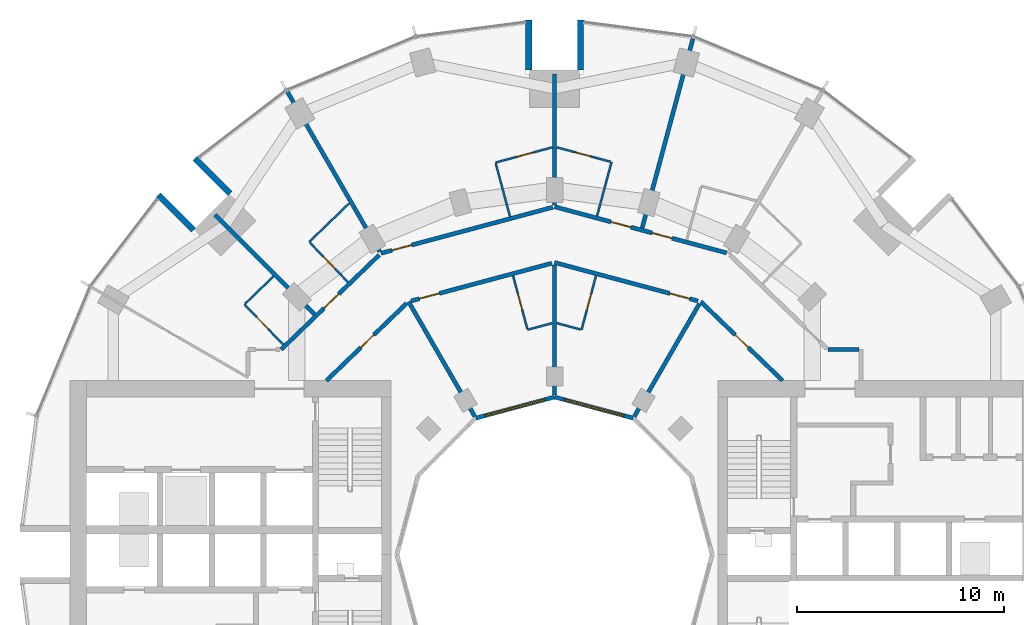
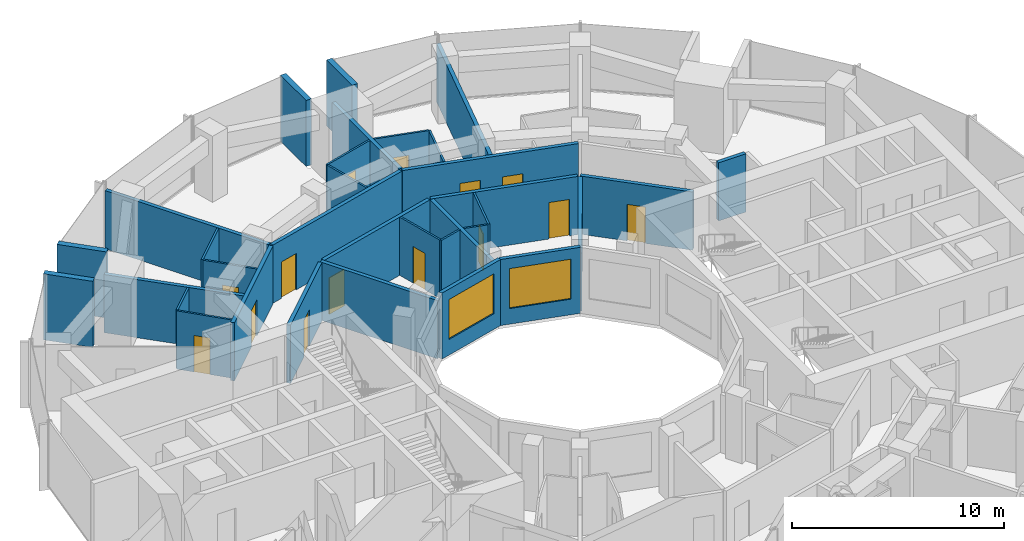
# One storey, part 12 of 15: 33 walls, 14 doors, 2 windows, 16 openings.
"""IFC4 building model written with IfcOpenShell, lengths in metres."""

from ifc_helpers import new_model, si_unit, direction, frame, frame_2d, origin, place, context, subcontext, project, spatial, rectangle, extrude, material, layer, layer_set, type_object, element, fill, save


model = new_model("IFC4")

# Units and contexts
model_context = context("Model", 3, precision=1e-05, world=origin(), true_north=direction((0.0, 1.0)))
body_context = subcontext(model_context, "Body", "Model", "MODEL_VIEW")
ifc_project = project(units=[si_unit("LENGTHUNIT", "METRE"), si_unit("AREAUNIT", "SQUARE_METRE"), si_unit("VOLUMEUNIT", "CUBIC_METRE"), si_unit("PLANEANGLEUNIT", "RADIAN"), si_unit("MASSUNIT", "GRAM", prefix="KILO")], contexts=[model_context])

# Site, building, storey
site_placement = place(None, origin())
site = spatial("IfcSite", under=ifc_project, at=site_placement, CompositionType="ELEMENT")
building_placement = place(site_placement, origin())
building = spatial("IfcBuilding", under=site, at=building_placement, Name="Torre Brocal", CompositionType="ELEMENT")
storey_placement = place(building_placement, frame((0.0, 0.0, 51.60009765625)))
storey = spatial("IfcBuildingStorey", under=building, at=storey_placement, Name="L11", CompositionType="ELEMENT", Elevation=51.60009765625)

# Walls
ifc_material_1 = material(Name="Concrete C80", Category="concrete")
ifc_layer_1 = layer(ifc_material_1, 0.300048828125)
ifc_layer_set_1 = layer_set([ifc_layer_1], Name="Concrete C80")
wall_type_1 = type_object("IfcWallType", Name="NOTCH RETURN WALL 300 C80", PredefinedType="NOTDEFINED", material=ifc_layer_set_1)
for number, where, z_axis, x_axis, name in (
    (1, (81.25, 98.39990234375, 0.0), (0.0, 0.0, 1.0), (0.0, 1.0, 0.0), "NOTCH RETURN WALL"),
    (2, (78.75, 98.39990234375, 0.0), (0.0, 0.0, 1.0), (0.0, 1.0, 0.0), "NOTCH RETURN WALL"),
    (3, (64.337646484375, 92.43017578125, 0.0), (0.0, 0.0, 1.0), (-0.707106781187, 0.707106781187, 0.0), "NOTCH RETURN WALL"),
    (4, (62.56982421875, 90.662353515625, 0.0), (0.0, 0.0, 1.0), (-0.707106781187, 0.707106781187, 0.0), "NOTCH RETURN WALL"),
):
    element("IfcWall", number, at=place(storey_placement, frame(where, z_axis=z_axis, x_axis=x_axis)), inside=storey, type_object=wall_type_1, Name=name, PredefinedType="NOTDEFINED", context=body_context, shape_type="SweptSolid", body=[
        extrude(rectangle(XDim=2.415771484375, YDim=0.300048828125, at=frame_2d((1.2080078125, 0.0))), origin(), (0.0, 0.0, 1.0), 3.7998046875),
    ])
ifc_material_2 = material(Name="Gypsum board", Category="Gypsum")
ifc_layer_2 = layer(ifc_material_2, 0.10009765625)
ifc_layer_set_2 = layer_set([ifc_layer_2], Name="Gypsum board")
wall_type_2 = type_object("IfcWallType", Name="PARTITION 100", PredefinedType="PARTITIONING", material=ifc_layer_set_2)
wall_1_placement = place(storey_placement, frame((65.058837890625, 87.11376953125, 0.0), z_axis=(0.0, 0.0, 1.0), x_axis=(0.719715847356, 0.694268751324, 0.0)))
element("IfcWall", 5, at=wall_1_placement, inside=storey, type_object=wall_type_2, Name="BATHROOM WALL", PredefinedType="PARTITIONING", context=body_context, shape_type="SweptSolid", body=[
    extrude(rectangle(XDim=1.899658203125, YDim=0.10009765625, at=frame_2d((0.94970703125, 0.0))), origin(), (0.0, 0.0, 1.0), 3.349853515625),
])

# Wall, opening, door
wall_2_placement = place(storey_placement, frame((65.02294921875, 87.0791015625, 0.0), z_axis=(0.0, 0.0, 1.0), x_axis=(0.694287838235, -0.719697434815, 0.0)))
wall_2 = element("IfcWall", 6, at=wall_2_placement, inside=storey, type_object=wall_type_2, Name="BATHROOM WALL", PredefinedType="PARTITIONING", context=body_context, shape_type="SweptSolid", body=[
    extrude(rectangle(XDim=2.699951171875, YDim=0.10009765625, at=frame_2d((1.35009765625, 0.0))), origin(), (0.0, 0.0, 1.0), 3.349853515625),
])
opening_1_placement = place(wall_2_placement, frame((0.849853515625, 0.0, 0.0)))
opening_1 = element("IfcOpeningElement", 7, at=opening_1_placement, cuts=wall_2, Name="Opening H03-D12", PredefinedType="OPENING", context=body_context, shape_type="SweptSolid", body=[
    extrude(rectangle(XDim=0.800048828125, YDim=2.10009765625, at=frame_2d((0.39990234375, 1.050048828125))), frame((0.0, 0.06005859375, 0.0), z_axis=(0.0, -1.0, 0.0), x_axis=(1.0, 0.0, 0.0)), (0.0, 0.0, 1.0), 0.1201171875),
])
ifc_material_3 = material(Name="Timber", Category="wood")
door_type_1 = type_object("IfcDoorType", Name="BATHROOM DOOR 800X2100", OperationType="SINGLE_SWING_LEFT", PredefinedType="DOOR", material=ifc_material_3)
door_1_placement = place(opening_1_placement, origin())
door_1 = element("IfcDoor", 8, at=door_1_placement, inside=storey, type_object=door_type_1, Name="H03-D12", OperationType="SINGLE_SWING_LEFT", OverallHeight=2.10009765625, OverallWidth=0.800048828125, PredefinedType="DOOR", context=body_context, shape_type="SweptSolid", body=[
    extrude(rectangle(XDim=0.800048828125, YDim=2.10009765625, at=frame_2d((0.39990234375, 1.050048828125))), frame((0.0, 0.02490234375, 0.0), z_axis=(0.0, -1.0, 0.0), x_axis=(1.0, 0.0, 0.0)), (0.0, 0.0, 1.0), 0.050048828125),
])
fill(opening_1, door_1)

wall_3_placement = place(storey_placement, frame((68.184814453125, 90.06005859375, 0.0), z_axis=(0.0, 0.0, 1.0), x_axis=(0.69446127412, -0.719530081892, 0.0)))
wall_3 = element("IfcWall", 9, at=wall_3_placement, inside=storey, type_object=wall_type_2, Name="BATHROOM WALL", PredefinedType="PARTITIONING", context=body_context, shape_type="SweptSolid", body=[
    extrude(rectangle(XDim=2.64892578125, YDim=0.10009765625, at=frame_2d((1.324462890625, 0.0))), origin(), (0.0, 0.0, 1.0), 3.349853515625),
])
opening_2_placement = place(wall_3_placement, frame((0.94970703125, 0.0, 0.0)))
opening_2 = element("IfcOpeningElement", 10, at=opening_2_placement, cuts=wall_3, Name="Opening H03-D10", PredefinedType="OPENING", context=body_context, shape_type="SweptSolid", body=[
    extrude(rectangle(XDim=0.800048828125, YDim=2.10009765625, at=frame_2d((0.39990234375, 1.050048828125))), frame((0.0, 0.06005859375, 0.0), z_axis=(0.0, -1.0, 0.0), x_axis=(1.0, 0.0, 0.0)), (0.0, 0.0, 1.0), 0.1201171875),
])
door_2_placement = place(opening_2_placement, origin())
door_2 = element("IfcDoor", 11, at=door_2_placement, inside=storey, type_object=door_type_1, Name="H03-D10", OperationType="SINGLE_SWING_RIGHT", OverallHeight=2.10009765625, OverallWidth=0.800048828125, PredefinedType="DOOR", context=body_context, shape_type="SweptSolid", body=[
    extrude(rectangle(XDim=0.800048828125, YDim=2.10009765625, at=frame_2d((0.39990234375, 1.050048828125))), frame((0.0, 0.02490234375, 0.0), z_axis=(0.0, -1.0, 0.0), x_axis=(1.0, 0.0, 0.0)), (0.0, 0.0, 1.0), 0.050048828125),
])
fill(opening_2, door_2)

# Walls
wall_4_placement = place(storey_placement, frame((68.150146484375, 90.095947265625, 0.0), z_axis=(0.0, 0.0, 1.0), x_axis=(0.719667544954, 0.694318820672, 0.0)))
element("IfcWall", 12, at=wall_4_placement, inside=storey, type_object=wall_type_2, Name="BATHROOM WALL", PredefinedType="PARTITIONING", context=body_context, shape_type="SweptSolid", body=[
    extrude(rectangle(XDim=2.68701171875, YDim=0.10009765625, at=frame_2d((1.343505859375, 0.0))), origin(), (0.0, 0.0, 1.0), 3.349853515625),
])
wall_5_placement = place(storey_placement, frame((77.161865234375, 93.8828125, 0.0), z_axis=(0.0, 0.0, 1.0), x_axis=(0.258998589493, -0.965877699629, 0.0)))
element("IfcWall", 13, at=wall_5_placement, inside=storey, type_object=wall_type_2, Name="BATHROOM WALL", PredefinedType="PARTITIONING", context=body_context, shape_type="SweptSolid", body=[
    extrude(rectangle(XDim=2.649658203125, YDim=0.10009765625, at=frame_2d((1.32470703125, 0.0))), origin(), (0.0, 0.0, 1.0), 3.349853515625),
])

# Wall, opening, door
wall_6_placement = place(storey_placement, frame((77.14892578125, 93.930908203125, 0.0), z_axis=(0.0, 0.0, 1.0), x_axis=(0.965916219953, 0.258854893776, 0.0)))
wall_6 = element("IfcWall", 14, at=wall_6_placement, inside=storey, type_object=wall_type_2, Name="BATHROOM WALL", PredefinedType="PARTITIONING", context=body_context, shape_type="SweptSolid", body=[
    extrude(rectangle(XDim=2.841796875, YDim=0.10009765625, at=frame_2d((1.4208984375, 0.0))), origin(), (0.0, 0.0, 1.0), 3.349853515625),
])
opening_3_placement = place(wall_6_placement, frame((1.07568359375, 0.0, 0.0)))
opening_3 = element("IfcOpeningElement", 15, at=opening_3_placement, cuts=wall_6, Name="Opening H03-D08", PredefinedType="OPENING", context=body_context, shape_type="SweptSolid", body=[
    extrude(rectangle(XDim=0.800048828125, YDim=2.10009765625, at=frame_2d((0.39990234375, 1.050048828125))), frame((0.0, 0.06005859375, 0.0), z_axis=(0.0, -1.0, 0.0), x_axis=(1.0, 0.0, 0.0)), (0.0, 0.0, 1.0), 0.1201171875),
])
door_3_placement = place(opening_3_placement, frame((0.800048828125, 0.0, 0.0), z_axis=(0.0, 0.0, 1.0), x_axis=(-1.0, 0.0, 0.0)))
door_3 = element("IfcDoor", 16, at=door_3_placement, inside=storey, type_object=door_type_1, Name="H03-D08", OperationType="SINGLE_SWING_LEFT", OverallHeight=2.10009765625, OverallWidth=0.800048828125, PredefinedType="DOOR", context=body_context, shape_type="SweptSolid", body=[
    extrude(rectangle(XDim=0.800048828125, YDim=2.10009765625, at=frame_2d((0.39990234375, 1.050048828125))), frame((0.0, 0.02490234375, 0.0), z_axis=(0.0, -1.0, 0.0), x_axis=(1.0, 0.0, 0.0)), (0.0, 0.0, 1.0), 0.050048828125),
])
fill(opening_3, door_3)

wall_7_placement = place(storey_placement, frame((77.997802734375, 88.46337890625, 0.0), z_axis=(0.0, 0.0, 1.0), x_axis=(0.258677737588, -0.965963678446, 0.0)))
wall_7 = element("IfcWall", 17, at=wall_7_placement, inside=storey, type_object=wall_type_2, Name="BATHROOM WALL", PredefinedType="PARTITIONING", context=body_context, shape_type="SweptSolid", body=[
    extrude(rectangle(XDim=2.649169921875, YDim=0.10009765625, at=frame_2d((1.32470703125, 0.0))), origin(), (0.0, 0.0, 1.0), 3.349853515625),
])
opening_4_placement = place(wall_7_placement, frame((0.899658203125, 0.0, 0.0)))
opening_4 = element("IfcOpeningElement", 18, at=opening_4_placement, cuts=wall_7, Name="Opening H03-D18", PredefinedType="OPENING", context=body_context, shape_type="SweptSolid", body=[
    extrude(rectangle(XDim=0.800048828125, YDim=2.10009765625, at=frame_2d((0.39990234375, 1.050048828125))), frame((0.0, 0.06005859375, 0.0), z_axis=(0.0, -1.0, 0.0), x_axis=(1.0, 0.0, 0.0)), (0.0, 0.0, 1.0), 0.1201171875),
])
door_4_placement = place(opening_4_placement, origin())
door_4 = element("IfcDoor", 19, at=door_4_placement, inside=storey, type_object=door_type_1, Name="H03-D18", OperationType="SINGLE_SWING_LEFT", OverallHeight=2.10009765625, OverallWidth=0.800048828125, PredefinedType="DOOR", context=body_context, shape_type="SweptSolid", body=[
    extrude(rectangle(XDim=0.800048828125, YDim=2.10009765625, at=frame_2d((0.39990234375, 1.050048828125))), frame((0.0, 0.02490234375, 0.0), z_axis=(0.0, -1.0, 0.0), x_axis=(1.0, 0.0, 0.0)), (0.0, 0.0, 1.0), 0.050048828125),
])
fill(opening_4, door_4)

# Walls
wall_8_placement = place(storey_placement, frame((78.696044921875, 85.85595703125, 0.0), z_axis=(0.0, 0.0, 1.0), x_axis=(0.966002513606, 0.258532674351, 0.0)))
element("IfcWall", 20, at=wall_8_placement, inside=storey, type_object=wall_type_2, Name="BATHROOM WALL", PredefinedType="PARTITIONING", context=body_context, shape_type="SweptSolid", body=[
    extrude(rectangle(XDim=1.239990234375, YDim=0.10009765625, at=frame_2d((0.6201171875, 0.0))), origin(), (0.0, 0.0, 1.0), 3.349853515625),
])
wall_9_placement = place(storey_placement, frame((80.106201171875, 86.176513671875, 0.0), z_axis=(0.0, 0.0, 1.0), x_axis=(0.966002973184, -0.258530957139, 0.0)))
element("IfcWall", 21, at=wall_9_placement, inside=storey, type_object=wall_type_2, Name="BATHROOM WALL", PredefinedType="PARTITIONING", context=body_context, shape_type="SweptSolid", body=[
    extrude(rectangle(XDim=1.18994140625, YDim=0.10009765625, at=frame_2d((0.594970703125, 0.0))), origin(), (0.0, 0.0, 1.0), 3.349853515625),
])

# Wall, opening, door
wall_10_placement = place(storey_placement, frame((80.106201171875, 94.666748046875, 0.0), z_axis=(0.0, 0.0, 1.0), x_axis=(0.965904298007, -0.258899376382, 0.0)))
wall_10 = element("IfcWall", 22, at=wall_10_placement, inside=storey, type_object=wall_type_2, Name="BATHROOM WALL", PredefinedType="PARTITIONING", context=body_context, shape_type="SweptSolid", body=[
    extrude(rectangle(XDim=2.6904296875, YDim=0.10009765625, at=frame_2d((1.34521484375, 0.0))), origin(), (0.0, 0.0, 1.0), 3.349853515625),
])
opening_5_placement = place(wall_10_placement, frame((0.9150390625, 0.0, 0.0)))
opening_5 = element("IfcOpeningElement", 23, at=opening_5_placement, cuts=wall_10, Name="Opening H03-D06", PredefinedType="OPENING", context=body_context, shape_type="SweptSolid", body=[
    extrude(rectangle(XDim=0.800048828125, YDim=2.10009765625, at=frame_2d((0.39990234375, 1.050048828125))), frame((0.0, 0.06005859375, 0.0), z_axis=(0.0, -1.0, 0.0), x_axis=(1.0, 0.0, 0.0)), (0.0, 0.0, 1.0), 0.1201171875),
])
door_5_placement = place(opening_5_placement, frame((0.800048828125, 0.0, 0.0), z_axis=(0.0, 0.0, 1.0), x_axis=(-1.0, 0.0, 0.0)))
door_5 = element("IfcDoor", 24, at=door_5_placement, inside=storey, type_object=door_type_1, Name="H03-D06", OperationType="SINGLE_SWING_RIGHT", OverallHeight=2.10009765625, OverallWidth=0.800048828125, PredefinedType="DOOR", context=body_context, shape_type="SweptSolid", body=[
    extrude(rectangle(XDim=0.800048828125, YDim=2.10009765625, at=frame_2d((0.39990234375, 1.050048828125))), frame((0.0, 0.02490234375, 0.0), z_axis=(0.0, -1.0, 0.0), x_axis=(1.0, 0.0, 0.0)), (0.0, 0.0, 1.0), 0.050048828125),
])
fill(opening_5, door_5)

wall_11_placement = place(storey_placement, frame((81.303955078125, 85.85595703125, 0.0), z_axis=(0.0, 0.0, 1.0), x_axis=(0.25867580527, 0.965964195904, 0.0)))
wall_11 = element("IfcWall", 25, at=wall_11_placement, inside=storey, type_object=wall_type_2, Name="BATHROOM WALL", PredefinedType="PARTITIONING", context=body_context, shape_type="SweptSolid", body=[
    extrude(rectangle(XDim=2.69921875, YDim=0.10009765625, at=frame_2d((1.349609375, 0.0))), origin(), (0.0, 0.0, 1.0), 3.349853515625),
])
opening_6_placement = place(wall_11_placement, frame((0.99951171875, 0.0, 0.0)))
opening_6 = element("IfcOpeningElement", 26, at=opening_6_placement, cuts=wall_11, Name="Opening H03-D16", PredefinedType="OPENING", context=body_context, shape_type="SweptSolid", body=[
    extrude(rectangle(XDim=0.800048828125, YDim=2.10009765625, at=frame_2d((0.39990234375, 1.050048828125))), frame((0.0, 0.06005859375, 0.0), z_axis=(0.0, -1.0, 0.0), x_axis=(1.0, 0.0, 0.0)), (0.0, 0.0, 1.0), 0.1201171875),
])
door_6_placement = place(opening_6_placement, origin())
door_6 = element("IfcDoor", 27, at=door_6_placement, inside=storey, type_object=door_type_1, Name="H03-D16", OperationType="SINGLE_SWING_RIGHT", OverallHeight=2.10009765625, OverallWidth=0.800048828125, PredefinedType="DOOR", context=body_context, shape_type="SweptSolid", body=[
    extrude(rectangle(XDim=0.800048828125, YDim=2.10009765625, at=frame_2d((0.39990234375, 1.050048828125))), frame((0.0, 0.02490234375, 0.0), z_axis=(0.0, -1.0, 0.0), x_axis=(1.0, 0.0, 0.0)), (0.0, 0.0, 1.0), 0.050048828125),
])
fill(opening_6, door_6)

# Walls
wall_12_placement = place(storey_placement, frame((82.053955078125, 91.349609375, 0.0), z_axis=(0.0, 0.0, 1.0), x_axis=(0.258928960762, 0.965896367774, 0.0)))
element("IfcWall", 28, at=wall_12_placement, inside=storey, type_object=wall_type_2, Name="BATHROOM WALL", PredefinedType="PARTITIONING", context=body_context, shape_type="SweptSolid", body=[
    extrude(rectangle(XDim=2.699462890625, YDim=0.10009765625, at=frame_2d((1.349609375, 0.0))), origin(), (0.0, 0.0, 1.0), 3.349853515625),
])
ifc_material_4 = material(Name="Gypsum board", Category="Gypsum")
ifc_layer_3 = layer(ifc_material_4, 0.199951171875)
ifc_layer_set_3 = layer_set([ifc_layer_3], Name="Gypsum board")
wall_type_3 = type_object("IfcWallType", Name="PARTITION 200 EI60", PredefinedType="PARTITIONING", material=ifc_layer_set_3)
wall_13_placement = place(storey_placement, frame((63.598388671875, 91.408203125, 0.0), z_axis=(0.0, 0.0, 1.0), x_axis=(0.706999146394, -0.707214399597, 0.0)))
element("IfcWall", 29, at=wall_13_placement, inside=storey, type_object=wall_type_3, Name="BATHROOM WALL", PredefinedType="PARTITIONING", context=body_context, shape_type="SweptSolid", body=[
    extrude(rectangle(XDim=6.80517578125, YDim=0.199951171875, at=frame_2d((3.402587890625, 0.0))), origin(), (0.0, 0.0, 1.0), 3.349853515625),
])

# Wall, opening, door
wall_14_placement = place(storey_placement, frame((66.796630859375, 84.900390625, 0.0), z_axis=(0.0, 0.0, 1.0), x_axis=(0.719692092412, 0.694293376116, 0.0)))
wall_14 = element("IfcWall", 30, at=wall_14_placement, inside=storey, type_object=wall_type_3, Name="GUESTROOM CORRIDOR WALL", PredefinedType="PARTITIONING", context=body_context, shape_type="SweptSolid", body=[
    extrude(rectangle(XDim=6.58447265625, YDim=0.199951171875, at=frame_2d((3.292236328125, 0.0))), origin(), (0.0, 0.0, 1.0), 3.349853515625),
])
opening_7_placement = place(wall_14_placement, frame((2.8662109375, 0.0, 0.0)))
opening_7 = element("IfcOpeningElement", 31, at=opening_7_placement, cuts=wall_14, Name="Opening H03-D09", PredefinedType="OPENING", context=body_context, shape_type="SweptSolid", body=[
    extrude(rectangle(XDim=1.0, YDim=2.10009765625, at=frame_2d((0.5, 1.050048828125))), frame((0.0, 0.10986328125, 0.0), z_axis=(0.0, -1.0, 0.0), x_axis=(1.0, 0.0, 0.0)), (0.0, 0.0, 1.0), 0.219970703125),
])
ifc_material_5 = material(Name="Timber", Category="wood")
door_type_2 = type_object("IfcDoorType", Name="FLAT ENTRY DOOR FD30S 1000X2100", OperationType="SINGLE_SWING_RIGHT", PredefinedType="DOOR", material=ifc_material_5)
door_7_placement = place(opening_7_placement, origin())
door_7 = element("IfcDoor", 32, at=door_7_placement, inside=storey, type_object=door_type_2, Name="H03-D09", OperationType="SINGLE_SWING_LEFT", OverallHeight=2.10009765625, OverallWidth=1.0, PredefinedType="DOOR", context=body_context, shape_type="SweptSolid", body=[
    extrude(rectangle(XDim=1.0, YDim=2.10009765625, at=frame_2d((0.5, 1.050048828125))), frame((0.0, 0.02490234375, 0.0), z_axis=(0.0, -1.0, 0.0), x_axis=(1.0, 0.0, 0.0)), (0.0, 0.0, 1.0), 0.050048828125),
])
fill(opening_7, door_7)

# Wall
wall_15_placement = place(storey_placement, frame((67.102783203125, 97.34228515625, 0.0), z_axis=(0.0, 0.0, 1.0), x_axis=(0.499906738326, -0.866079241742, 0.0)))
element("IfcWall", 33, at=wall_15_placement, inside=storey, type_object=wall_type_3, Name="BATHROOM WALL", PredefinedType="PARTITIONING", context=body_context, shape_type="SweptSolid", body=[
    extrude(rectangle(XDim=8.906982421875, YDim=0.199951171875, at=frame_2d((4.45361328125, 0.0))), origin(), (0.0, 0.0, 1.0), 3.349853515625),
])

# Wall, opening, door
wall_16_placement = place(storey_placement, frame((68.987060546875, 83.39990234375, 0.0), z_axis=(0.0, 0.0, 1.0), x_axis=(0.719547721855, 0.694442996922, 0.0)))
wall_16 = element("IfcWall", 34, at=wall_16_placement, inside=storey, type_object=wall_type_3, Name="CORRIDOR WALL", PredefinedType="PARTITIONING", context=body_context, shape_type="SweptSolid", body=[
    extrude(rectangle(XDim=5.3779296875, YDim=0.199951171875, at=frame_2d((2.68896484375, 0.0))), origin(), (0.0, 0.0, 1.0), 3.349853515625),
])
opening_8_placement = place(wall_16_placement, frame((2.2939453125, 0.0, 0.0)))
opening_8 = element("IfcOpeningElement", 35, at=opening_8_placement, cuts=wall_16, Name="Opening H03-D19", PredefinedType="OPENING", context=body_context, shape_type="SweptSolid", body=[
    extrude(rectangle(XDim=0.89990234375, YDim=2.10009765625, at=frame_2d((0.449951171875, 1.050048828125))), frame((0.0, 0.10986328125, 0.0), z_axis=(0.0, -1.0, 0.0), x_axis=(1.0, 0.0, 0.0)), (0.0, 0.0, 1.0), 0.219970703125),
])
ifc_material_6 = material(Name="Timber", Category="wood")
door_type_3 = type_object("IfcDoorType", Name="ROOM DOOR 900X2100", OperationType="SINGLE_SWING_LEFT", PredefinedType="DOOR", material=ifc_material_6)
door_8_placement = place(opening_8_placement, frame((0.89990234375, 0.0, 0.0), z_axis=(0.0, 0.0, 1.0), x_axis=(-1.0, 0.0, 0.0)))
door_8 = element("IfcDoor", 36, at=door_8_placement, inside=storey, type_object=door_type_3, Name="H03-D19", OperationType="SINGLE_SWING_RIGHT", OverallHeight=2.10009765625, OverallWidth=0.89990234375, PredefinedType="DOOR", context=body_context, shape_type="SweptSolid", body=[
    extrude(rectangle(XDim=0.89990234375, YDim=2.10009765625, at=frame_2d((0.449951171875, 1.050048828125))), frame((0.0, 0.02490234375, 0.0), z_axis=(0.0, -1.0, 0.0), x_axis=(1.0, 0.0, 0.0)), (0.0, 0.0, 1.0), 0.050048828125),
])
fill(opening_8, door_8)

wall_17_placement = place(storey_placement, frame((71.61376953125, 89.549560546875, 0.0), z_axis=(0.0, 0.0, 1.0), x_axis=(0.965967958589, 0.258661753994, 0.0)))
wall_17 = element("IfcWall", 37, at=wall_17_placement, inside=storey, type_object=wall_type_3, Name="GUESTROOM CORRIDOR WALL", PredefinedType="PARTITIONING", context=body_context, shape_type="SweptSolid", body=[
    extrude(rectangle(XDim=8.592041015625, YDim=0.199951171875, at=frame_2d((4.2958984375, 0.0))), origin(), (0.0, 0.0, 1.0), 3.349853515625),
])
opening_9_placement = place(wall_17_placement, frame((0.550048828125, 0.0, 0.0)))
opening_9 = element("IfcOpeningElement", 38, at=opening_9_placement, cuts=wall_17, Name="Opening H03-D07", PredefinedType="OPENING", context=body_context, shape_type="SweptSolid", body=[
    extrude(rectangle(XDim=1.0, YDim=2.10009765625, at=frame_2d((0.5, 1.050048828125))), frame((0.0, 0.10986328125, 0.0), z_axis=(0.0, -1.0, 0.0), x_axis=(1.0, 0.0, 0.0)), (0.0, 0.0, 1.0), 0.219970703125),
])
door_9_placement = place(opening_9_placement, origin())
door_9 = element("IfcDoor", 39, at=door_9_placement, inside=storey, type_object=door_type_2, Name="H03-D07", OperationType="SINGLE_SWING_LEFT", OverallHeight=2.10009765625, OverallWidth=1.0, PredefinedType="DOOR", context=body_context, shape_type="SweptSolid", body=[
    extrude(rectangle(XDim=1.0, YDim=2.10009765625, at=frame_2d((0.5, 1.050048828125))), frame((0.0, 0.02490234375, 0.0), z_axis=(0.0, -1.0, 0.0), x_axis=(1.0, 0.0, 0.0)), (0.0, 0.0, 1.0), 0.050048828125),
])
fill(opening_9, door_9)

wall_18_placement = place(storey_placement, frame((73.0712890625, 87.2470703125, 0.0), z_axis=(0.0, 0.0, 1.0), x_axis=(0.965931651205, 0.258797305243, 0.0)))
wall_18 = element("IfcWall", 40, at=wall_18_placement, inside=storey, type_object=wall_type_3, Name="GUESTROOM CORRIDOR WALL", PredefinedType="PARTITIONING", context=body_context, shape_type="SweptSolid", body=[
    extrude(rectangle(XDim=7.043212890625, YDim=0.199951171875, at=frame_2d((3.521484375, 0.0))), origin(), (0.0, 0.0, 1.0), 3.349853515625),
])
opening_10_placement = place(wall_18_placement, frame((0.409912109375, 0.0, 0.0)))
opening_10 = element("IfcOpeningElement", 41, at=opening_10_placement, cuts=wall_18, Name="Opening H03-D17", PredefinedType="OPENING", context=body_context, shape_type="SweptSolid", body=[
    extrude(rectangle(XDim=1.0, YDim=2.10009765625, at=frame_2d((0.5, 1.050048828125))), frame((0.0, 0.10986328125, 0.0), z_axis=(0.0, -1.0, 0.0), x_axis=(1.0, 0.0, 0.0)), (0.0, 0.0, 1.0), 0.219970703125),
])
door_10_placement = place(opening_10_placement, frame((1.0, 0.0, 0.0), z_axis=(0.0, 0.0, 1.0), x_axis=(-1.0, 0.0, 0.0)))
door_10 = element("IfcDoor", 42, at=door_10_placement, inside=storey, type_object=door_type_2, Name="H03-D17", OperationType="SINGLE_SWING_RIGHT", OverallHeight=2.10009765625, OverallWidth=1.0, PredefinedType="DOOR", context=body_context, shape_type="SweptSolid", body=[
    extrude(rectangle(XDim=1.0, YDim=2.10009765625, at=frame_2d((0.5, 1.050048828125))), frame((0.0, 0.02490234375, 0.0), z_axis=(0.0, -1.0, 0.0), x_axis=(1.0, 0.0, 0.0)), (0.0, 0.0, 1.0), 0.050048828125),
])
fill(opening_10, door_10)

# Walls
wall_19_placement = place(storey_placement, frame((72.94873046875, 87.21435546875, 0.0), z_axis=(0.0, 0.0, 1.0), x_axis=(0.499927021214, -0.866067534006, 0.0)))
element("IfcWall", 43, at=wall_19_placement, inside=storey, type_object=wall_type_3, Name="SERVICE ROOM WALL", PredefinedType="PARTITIONING", context=body_context, shape_type="SweptSolid", body=[
    extrude(rectangle(XDim=6.4052734375, YDim=0.199951171875, at=frame_2d((3.20263671875, 0.0))), origin(), (0.0, 0.0, 1.0), 3.349853515625),
])
wall_20_placement = place(storey_placement, frame((80.0, 82.698974609375, 0.0), z_axis=(0.0, 0.0, 1.0), x_axis=(0.0, 1.0, 0.0)))
element("IfcWall", 44, at=wall_20_placement, inside=storey, type_object=wall_type_3, Name="BATHROOM WALL", PredefinedType="PARTITIONING", context=body_context, shape_type="SweptSolid", body=[
    extrude(rectangle(XDim=6.275146484375, YDim=0.199951171875, at=frame_2d((3.1376953125, 0.0))), origin(), (0.0, 0.0, 1.0), 3.349853515625),
])

# Wall, opening, door
wall_21_placement = place(storey_placement, frame((80.0, 89.10400390625, 0.0), z_axis=(0.0, 0.0, 1.0), x_axis=(0.965856548257, -0.259077455964, 0.0)))
wall_21 = element("IfcWall", 45, at=wall_21_placement, inside=storey, type_object=wall_type_3, Name="GUESTROOM CORRIDOR WALL", PredefinedType="PARTITIONING", context=body_context, shape_type="SweptSolid", body=[
    extrude(rectangle(XDim=7.173095703125, YDim=0.199951171875, at=frame_2d((3.58642578125, 0.0))), origin(), (0.0, 0.0, 1.0), 3.349853515625),
])
opening_11_placement = place(wall_21_placement, frame((5.76318359375, 0.0, 0.0)))
opening_11 = element("IfcOpeningElement", 46, at=opening_11_placement, cuts=wall_21, Name="Opening H03-D15", PredefinedType="OPENING", context=body_context, shape_type="SweptSolid", body=[
    extrude(rectangle(XDim=1.0, YDim=2.10009765625, at=frame_2d((0.5, 1.050048828125))), frame((0.0, 0.10986328125, 0.0), z_axis=(0.0, -1.0, 0.0), x_axis=(1.0, 0.0, 0.0)), (0.0, 0.0, 1.0), 0.219970703125),
])
door_11_placement = place(opening_11_placement, frame((1.0, 0.0, 0.0), z_axis=(0.0, 0.0, 1.0), x_axis=(-1.0, 0.0, 0.0)))
door_11 = element("IfcDoor", 47, at=door_11_placement, inside=storey, type_object=door_type_2, Name="H03-D15", OperationType="SINGLE_SWING_LEFT", OverallHeight=2.10009765625, OverallWidth=1.0, PredefinedType="DOOR", context=body_context, shape_type="SweptSolid", body=[
    extrude(rectangle(XDim=1.0, YDim=2.10009765625, at=frame_2d((0.5, 1.050048828125))), frame((0.0, 0.02490234375, 0.0), z_axis=(0.0, -1.0, 0.0), x_axis=(1.0, 0.0, 0.0)), (0.0, 0.0, 1.0), 0.050048828125),
])
fill(opening_11, door_11)

# Wall
wall_22_placement = place(storey_placement, frame((80.0, 91.886962890625, 0.0), z_axis=(0.0, 0.0, 1.0), x_axis=(0.0, 1.0, 0.0)))
element("IfcWall", 48, at=wall_22_placement, inside=storey, type_object=wall_type_3, Name="BATHROOM WALL", PredefinedType="PARTITIONING", context=body_context, shape_type="SweptSolid", body=[
    extrude(rectangle(XDim=6.31201171875, YDim=0.199951171875, at=frame_2d((3.156005859375, 0.0))), origin(), (0.0, 0.0, 1.0), 3.349853515625),
])

# Wall, openings, doors
wall_23_placement = place(storey_placement, frame((80.000244140625, 91.796875, 0.0), z_axis=(0.0, 0.0, 1.0), x_axis=(0.965857042792, -0.259075612301, 0.0)))
wall_23 = element("IfcWall", 49, at=wall_23_placement, inside=storey, type_object=wall_type_3, Name="GUESTROOM CORRIDOR WALL", PredefinedType="PARTITIONING", context=body_context, shape_type="SweptSolid", body=[
    extrude(rectangle(XDim=8.601806640625, YDim=0.199951171875, at=frame_2d((4.30078125, 0.0))), origin(), (0.0, 0.0, 1.0), 3.349853515625),
])
opening_12_placement = place(wall_23_placement, frame((4.87744140625, 0.0, 0.0)))
opening_12 = element("IfcOpeningElement", 50, at=opening_12_placement, cuts=wall_23, Name="Opening H03-D03", PredefinedType="OPENING", context=body_context, shape_type="SweptSolid", body=[
    extrude(rectangle(XDim=1.0, YDim=2.10009765625, at=frame_2d((0.5, 1.050048828125))), frame((0.0, 0.10986328125, 0.0), z_axis=(0.0, -1.0, 0.0), x_axis=(1.0, 0.0, 0.0)), (0.0, 0.0, 1.0), 0.219970703125),
])
opening_13_placement = place(wall_23_placement, frame((2.816650390625, 0.0, 0.0)))
opening_13 = element("IfcOpeningElement", 51, at=opening_13_placement, cuts=wall_23, Name="Opening H03-D05", PredefinedType="OPENING", context=body_context, shape_type="SweptSolid", body=[
    extrude(rectangle(XDim=1.0, YDim=2.10009765625, at=frame_2d((0.5, 1.050048828125))), frame((0.0, 0.10986328125, 0.0), z_axis=(0.0, -1.0, 0.0), x_axis=(1.0, 0.0, 0.0)), (0.0, 0.0, 1.0), 0.219970703125),
])
door_12_placement = place(opening_12_placement, origin())
door_12 = element("IfcDoor", 52, at=door_12_placement, inside=storey, type_object=door_type_2, Name="H03-D03", OperationType="SINGLE_SWING_LEFT", OverallHeight=2.10009765625, OverallWidth=1.0, PredefinedType="DOOR", context=body_context, shape_type="SweptSolid", body=[
    extrude(rectangle(XDim=1.0, YDim=2.10009765625, at=frame_2d((0.5, 1.050048828125))), frame((0.0, 0.02490234375, 0.0), z_axis=(0.0, -1.0, 0.0), x_axis=(1.0, 0.0, 0.0)), (0.0, 0.0, 1.0), 0.050048828125),
])
fill(opening_12, door_12)
door_13_placement = place(opening_13_placement, origin())
door_13 = element("IfcDoor", 53, at=door_13_placement, inside=storey, type_object=door_type_2, Name="H03-D05", OperationType="SINGLE_SWING_RIGHT", OverallHeight=2.10009765625, OverallWidth=1.0, PredefinedType="DOOR", context=body_context, shape_type="SweptSolid", body=[
    extrude(rectangle(XDim=1.0, YDim=2.10009765625, at=frame_2d((0.5, 1.050048828125))), frame((0.0, 0.02490234375, 0.0), z_axis=(0.0, -1.0, 0.0), x_axis=(1.0, 0.0, 0.0)), (0.0, 0.0, 1.0), 0.050048828125),
])
fill(opening_13, door_13)

# Walls
wall_24_placement = place(storey_placement, frame((83.851318359375, 81.665771484375, 0.0), z_axis=(0.0, 0.0, 1.0), x_axis=(0.500253653624, 0.865878907259, 0.0)))
element("IfcWall", 54, at=wall_24_placement, inside=storey, type_object=wall_type_3, Name="SERVICE ROOM WALL", PredefinedType="PARTITIONING", context=body_context, shape_type="SweptSolid", body=[
    extrude(rectangle(XDim=6.285400390625, YDim=0.199951171875, at=frame_2d((3.142578125, 0.0))), origin(), (0.0, 0.0, 1.0), 3.349853515625),
])
wall_25_placement = place(storey_placement, frame((84.23046875, 90.76611328125, 0.0), z_axis=(0.0, 0.0, 1.0), x_axis=(0.258967920341, 0.965885922992, 0.0)))
element("IfcWall", 55, at=wall_25_placement, inside=storey, type_object=wall_type_3, Name="PARTY PARTITION", PredefinedType="PARTITIONING", context=body_context, shape_type="SweptSolid", body=[
    extrude(rectangle(XDim=9.474609375, YDim=0.199951171875, at=frame_2d((4.7373046875, 0.0))), origin(), (0.0, 0.0, 1.0), 3.349853515625),
])

# Wall, opening, door
wall_26_placement = place(storey_placement, frame((87.06396484375, 87.2109375, 0.0), z_axis=(0.0, 0.0, 1.0), x_axis=(0.719562412484, -0.694427774891, 0.0)))
wall_26 = element("IfcWall", 56, at=wall_26_placement, inside=storey, type_object=wall_type_3, Name="CORRIDOR WALL", PredefinedType="PARTITIONING", context=body_context, shape_type="SweptSolid", body=[
    extrude(rectangle(XDim=5.488037109375, YDim=0.199951171875, at=frame_2d((2.744140625, 0.0))), origin(), (0.0, 0.0, 1.0), 3.349853515625),
])
opening_14_placement = place(wall_26_placement, frame((2.2939453125, 0.0, 0.0)))
opening_14 = element("IfcOpeningElement", 57, at=opening_14_placement, cuts=wall_26, Name="Opening H03-D14", PredefinedType="OPENING", context=body_context, shape_type="SweptSolid", body=[
    extrude(rectangle(XDim=0.89990234375, YDim=2.10009765625, at=frame_2d((0.449951171875, 1.050048828125))), frame((0.0, 0.10986328125, 0.0), z_axis=(0.0, -1.0, 0.0), x_axis=(1.0, 0.0, 0.0)), (0.0, 0.0, 1.0), 0.219970703125),
])
door_14_placement = place(opening_14_placement, frame((0.89990234375, 0.0, 0.0), z_axis=(0.0, 0.0, 1.0), x_axis=(-1.0, 0.0, 0.0)))
door_14 = element("IfcDoor", 58, at=door_14_placement, inside=storey, type_object=door_type_3, Name="H03-D14", OperationType="SINGLE_SWING_LEFT", OverallHeight=2.10009765625, OverallWidth=0.89990234375, PredefinedType="DOOR", context=body_context, shape_type="SweptSolid", body=[
    extrude(rectangle(XDim=0.89990234375, YDim=2.10009765625, at=frame_2d((0.449951171875, 1.050048828125))), frame((0.0, 0.02490234375, 0.0), z_axis=(0.0, -1.0, 0.0), x_axis=(1.0, 0.0, 0.0)), (0.0, 0.0, 1.0), 0.050048828125),
])
fill(opening_14, door_14)

# Wall
wall_27_placement = place(storey_placement, frame((93.2041015625, 84.89990234375, 0.0), z_axis=(0.0, 0.0, 1.0), x_axis=(1.0, 0.0, 0.0)))
element("IfcWall", 59, at=wall_27_placement, inside=storey, type_object=wall_type_3, Name="GUESTROOM CORRIDOR WALL", PredefinedType="PARTITIONING", context=body_context, shape_type="SweptSolid", body=[
    extrude(rectangle(XDim=1.495849609375, YDim=0.199951171875, at=frame_2d((0.748046875, 0.0))), origin(), (0.0, 0.0, 1.0), 3.349853515625),
])

# Wall, opening, window
ifc_material_7 = material(Name="Concrete C40", Category="concrete")
ifc_layer_4 = layer(ifc_material_7, 0.199951171875)
ifc_layer_set_4 = layer_set([ifc_layer_4], Name="Concrete C40")
wall_type_4 = type_object("IfcWallType", Name="WELL FACADE WALL 200", PredefinedType="NOTDEFINED", material=ifc_layer_set_4)
wall_28_placement = place(storey_placement, frame((83.8017578125, 81.5849609375, 0.0), z_axis=(0.0, 0.0, 1.0), x_axis=(-0.965933654434, 0.258789828301, 0.0)))
wall_28 = element("IfcWall", 60, at=wall_28_placement, inside=storey, type_object=wall_type_4, Name="WELL FACADE WALL", PredefinedType="NOTDEFINED", context=body_context, shape_type="SweptSolid", body=[
    extrude(rectangle(XDim=3.935791015625, YDim=0.199951171875, at=frame_2d((1.9677734375, 0.0))), origin(), (0.0, 0.0, 1.0), 3.7998046875),
])
opening_15_placement = place(wall_28_placement, frame((0.468017578125, 0.0, 0.89990234375)))
opening_15 = element("IfcOpeningElement", 61, at=opening_15_placement, cuts=wall_28, Name="Opening W1", PredefinedType="OPENING", context=body_context, shape_type="SweptSolid", body=[
    extrude(rectangle(XDim=3.0, YDim=2.300048828125, at=frame_2d((1.5, 1.14990234375))), frame((0.0, 0.10986328125, 0.0), z_axis=(0.0, -1.0, 0.0), x_axis=(1.0, 0.0, 0.0)), (0.0, 0.0, 1.0), 0.219970703125),
])
ifc_material_8 = material(Name="Aluminium and glass", Category="aluminium")
window_type = type_object("IfcWindowType", Name="WELL WINDOW 3000X2300", PartitioningType="SINGLE_PANEL", PredefinedType="WINDOW", material=ifc_material_8)
window_1_placement = place(opening_15_placement, origin())
window_1 = element("IfcWindow", 62, at=window_1_placement, inside=storey, type_object=window_type, Name="WELL WINDOW 3000X2300", OverallHeight=2.300048828125, OverallWidth=3.0, PartitioningType="SINGLE_PANEL", PredefinedType="WINDOW", context=body_context, shape_type="SweptSolid", body=[
    extrude(rectangle(XDim=3.0, YDim=2.300048828125, at=frame_2d((1.5, 1.14990234375))), frame((0.0, 0.030029296875, 0.0), z_axis=(0.0, -1.0, 0.0), x_axis=(1.0, 0.0, 0.0)), (0.0, 0.0, 1.0), 0.06005859375),
])
fill(opening_15, window_1)

wall_29_placement = place(storey_placement, frame((80.0, 82.603515625, 0.0), z_axis=(0.0, 0.0, 1.0), x_axis=(-0.965933654434, -0.258789828301, 0.0)))
wall_29 = element("IfcWall", 63, at=wall_29_placement, inside=storey, type_object=wall_type_4, Name="WELL FACADE WALL", PredefinedType="NOTDEFINED", context=body_context, shape_type="SweptSolid", body=[
    extrude(rectangle(XDim=3.935791015625, YDim=0.199951171875, at=frame_2d((1.9677734375, 0.0))), origin(), (0.0, 0.0, 1.0), 3.7998046875),
])
opening_16_placement = place(wall_29_placement, frame((0.468017578125, 0.0, 0.89990234375)))
opening_16 = element("IfcOpeningElement", 64, at=opening_16_placement, cuts=wall_29, Name="Opening W1", PredefinedType="OPENING", context=body_context, shape_type="SweptSolid", body=[
    extrude(rectangle(XDim=3.0, YDim=2.300048828125, at=frame_2d((1.5, 1.14990234375))), frame((0.0, 0.10986328125, 0.0), z_axis=(0.0, -1.0, 0.0), x_axis=(1.0, 0.0, 0.0)), (0.0, 0.0, 1.0), 0.219970703125),
])
window_2_placement = place(opening_16_placement, origin())
window_2 = element("IfcWindow", 65, at=window_2_placement, inside=storey, type_object=window_type, Name="WELL WINDOW 3000X2300", OverallHeight=2.300048828125, OverallWidth=3.0, PartitioningType="SINGLE_PANEL", PredefinedType="WINDOW", context=body_context, shape_type="SweptSolid", body=[
    extrude(rectangle(XDim=3.0, YDim=2.300048828125, at=frame_2d((1.5, 1.14990234375))), frame((0.0, 0.030029296875, 0.0), z_axis=(0.0, -1.0, 0.0), x_axis=(1.0, 0.0, 0.0)), (0.0, 0.0, 1.0), 0.06005859375),
])
fill(opening_16, window_2)

save(model, "model.ifc")
